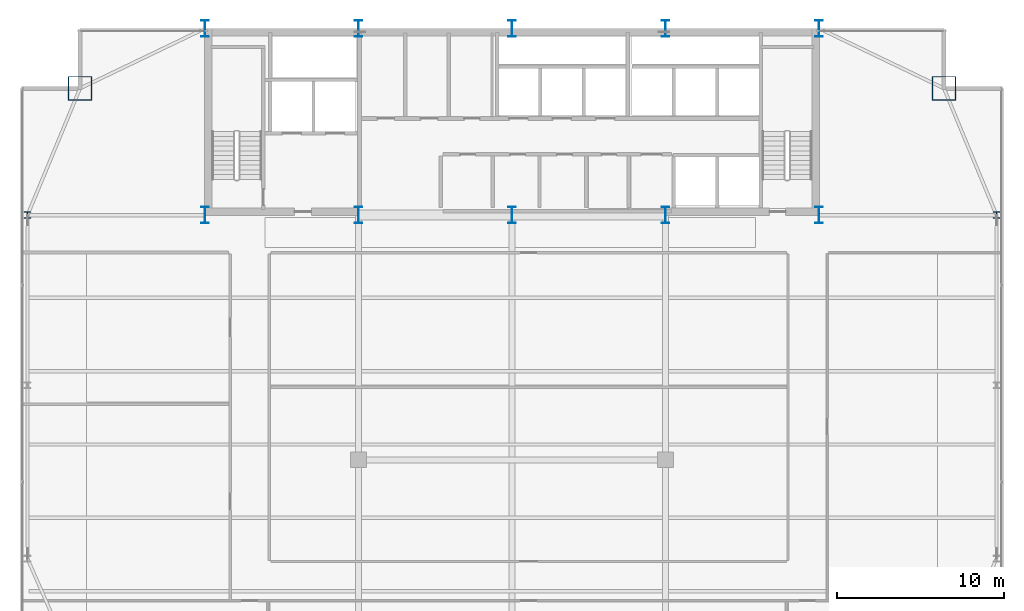
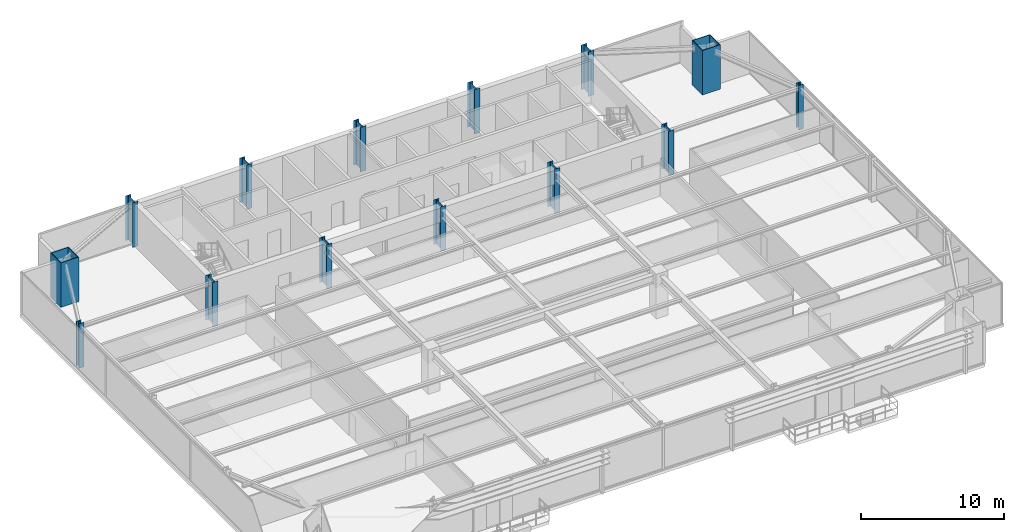
# One storey, part 2 of 36: 14 columns.
"""IFC4 building model written with IfcOpenShell, lengths in metres."""

from ifc_helpers import new_model, si_unit, direction, frame, origin, origin_2d, place, context, subcontext, project, spatial, hollow_rectangle, i_section, extrude, source, transform, mapped, material, material_profile, profile_set, type_object, type_shapes, element, save


model = new_model("IFC4")

# Units and contexts
model_context = context("Model", 3, precision=1e-05, world=origin(), true_north=direction((0.0, 1.0)))
body_context = subcontext(model_context, "Body", "Model", "MODEL_VIEW")
ifc_project = project(units=[si_unit("LENGTHUNIT", "METRE"), si_unit("AREAUNIT", "SQUARE_METRE"), si_unit("VOLUMEUNIT", "CUBIC_METRE"), si_unit("PLANEANGLEUNIT", "RADIAN"), si_unit("MASSUNIT", "GRAM", prefix="KILO")], contexts=[model_context])

# Site, building, storey
site_placement = place(None, origin())
site = spatial("IfcSite", under=ifc_project, at=site_placement, CompositionType="ELEMENT")
building_placement = place(site_placement, origin())
building = spatial("IfcBuilding", under=site, at=building_placement, Name="Varnel Quay Broadcast Tower", CompositionType="ELEMENT")
storey_placement = place(building_placement, frame((0.0, 0.0, 114.39990234375)))
storey = spatial("IfcBuildingStorey", under=building, at=storey_placement, Name="L27", CompositionType="ELEMENT", Elevation=114.39990234375)

# Columns
ifc_material_1 = material(Name="Structural Steel CSA G40.21 350WT", Category="steel")
ifc_material_profile_1 = material_profile(ifc_material_1, i_section(OverallWidth=0.449951171875, OverallDepth=1.0, WebThickness=0.01611328125, FlangeThickness=0.030029296875, FilletRadius=0.01611328125, at=origin_2d()), Name="WWF1000X362")
ifc_profile_set_1 = profile_set([ifc_material_profile_1], Name="Structural Steel CSA G40.21 350WT")
column_type_1 = type_object("IfcColumnType", Name="Col_WWF1000X362", PredefinedType="COLUMN", material=ifc_profile_set_1)
shared_shape_1 = source(origin(), body_context, "Body", "SweptSolid", [
    extrude(i_section(OverallWidth=0.449951171875, OverallDepth=1.0, WebThickness=0.01611328125, FlangeThickness=0.030029296875, FilletRadius=0.01611328125, at=origin_2d()), origin(), (0.0, 0.0, 1.0), 3.800048828125),
])
type_shapes(column_type_1, [shared_shape_1])
for number, where, z_axis, x_axis, name in (
    (1, (15.60009765625, 35.60009765625, 0.0), (0.0, 0.0, 1.0), (1.0, 0.0, 0.0), "L27 Column CC-S1"),
    (2, (15.60009765625, 46.800048828125, 0.0), (0.0, 0.0, 1.0), (1.0, 0.0, 0.0), "L27 Column CC-N1"),
    (3, (24.800048828125, 35.60009765625, 0.0), (0.0, 0.0, 1.0), (1.0, 0.0, 0.0), "L27 Column CC-S2"),
    (4, (24.800048828125, 46.800048828125, 0.0), (0.0, 0.0, 1.0), (1.0, 0.0, 0.0), "L27 Column CC-N2"),
    (5, (34.0, 35.60009765625, 0.0), (0.0, 0.0, 1.0), (1.0, 0.0, 0.0), "L27 Column CC-S3"),
    (6, (34.0, 46.800048828125, 0.0), (0.0, 0.0, 1.0), (1.0, 0.0, 0.0), "L27 Column CC-N3"),
    (7, (43.199951171875, 35.60009765625, 0.0), (0.0, 0.0, 1.0), (1.0, 0.0, 0.0), "L27 Column CC-S4"),
    (8, (43.199951171875, 46.800048828125, 0.0), (0.0, 0.0, 1.0), (1.0, 0.0, 0.0), "L27 Column CC-N4"),
    (9, (52.39990234375, 35.60009765625, 0.0), (0.0, 0.0, 1.0), (1.0, 0.0, 0.0), "L27 Column CC-S5"),
    (10, (52.39990234375, 46.800048828125, 0.0), (0.0, 0.0, 1.0), (1.0, 0.0, 0.0), "L27 Column CC-N5"),
):
    element("IfcColumn", number, at=place(storey_placement, frame(where, z_axis=z_axis, x_axis=x_axis)), inside=storey, type_object=column_type_1, Name=name, PredefinedType="COLUMN", context=body_context, shape_type="MappedRepresentation", body=[
        mapped(shared_shape_1, transform((0.0, 0.0, 0.0), x_axis=(1.0, 0.0, 0.0), y_axis=(0.0, 1.0, 0.0), z_axis=(0.0, 0.0, 1.0), scale=1.0)),
    ])
ifc_material_profile_2 = material_profile(ifc_material_1, hollow_rectangle(XDim=1.449951171875, YDim=1.449951171875, WallThickness=0.054931640625, at=origin_2d()), Name="BOX1450X1450X55")
ifc_profile_set_2 = profile_set([ifc_material_profile_2], Name="Structural Steel CSA G40.21 350WT")
column_type_2 = type_object("IfcColumnType", Name="Col_BOX1450X1450X55", PredefinedType="COLUMN", material=ifc_profile_set_2)
shared_shape_2 = source(origin(), body_context, "Body", "SweptSolid", [
    extrude(hollow_rectangle(XDim=1.449951171875, YDim=1.449951171875, WallThickness=0.054931640625, at=origin_2d()), origin(), (0.0, 0.0, 1.0), 3.800048828125),
])
type_shapes(column_type_2, [shared_shape_2])
for number, where, z_axis, x_axis, name in (
    (11, (59.89990234375, 43.199951171875, 0.0), (0.0, 0.0, 1.0), (1.0, 0.0, 0.0), "L27 Column MC-NE"),
    (12, (8.10009765625, 43.199951171875, 0.0), (0.0, 0.0, 1.0), (1.0, 0.0, 0.0), "L27 Column MC-NW"),
):
    element("IfcColumn", number, at=place(storey_placement, frame(where, z_axis=z_axis, x_axis=x_axis)), inside=storey, type_object=column_type_2, Name=name, PredefinedType="COLUMN", context=body_context, shape_type="MappedRepresentation", body=[
        mapped(shared_shape_2, transform((0.0, 0.0, 0.0), x_axis=(1.0, 0.0, 0.0), y_axis=(0.0, 1.0, 0.0), z_axis=(0.0, 0.0, 1.0), scale=1.0)),
    ])
ifc_material_2 = material(Name="Structural Steel CSA G40.21 350W", Category="steel")
ifc_material_profile_3 = material_profile(ifc_material_2, i_section(OverallWidth=0.39794921875, OverallDepth=0.386962890625, WebThickness=0.02099609375, FlangeThickness=0.033203125, FilletRadius=0.01806640625, at=origin_2d()), Name="W360X262")
ifc_profile_set_3 = profile_set([ifc_material_profile_3], Name="Structural Steel CSA G40.21 350W")
column_type_3 = type_object("IfcColumnType", Name="Col_W360X262", PredefinedType="COLUMN", material=ifc_profile_set_3)
shared_shape_3 = source(origin(), body_context, "Body", "SweptSolid", [
    extrude(i_section(OverallWidth=0.39794921875, OverallDepth=0.386962890625, WebThickness=0.02099609375, FlangeThickness=0.033203125, FilletRadius=0.01806640625, at=origin_2d()), origin(), (0.0, 0.0, 1.0), 3.800048828125),
])
type_shapes(column_type_3, [shared_shape_3])
for number, where, z_axis, x_axis, name in (
    (13, (4.949951171875, 35.60009765625, 0.0), (0.0, 0.0, 1.0), (1.0, 0.0, 0.0), "L27 Column TC-W3"),
    (14, (63.050048828125, 35.60009765625, 0.0), (0.0, 0.0, 1.0), (1.0, 0.0, 0.0), "L27 Column TC-E3"),
):
    element("IfcColumn", number, at=place(storey_placement, frame(where, z_axis=z_axis, x_axis=x_axis)), inside=storey, type_object=column_type_3, Name=name, PredefinedType="COLUMN", context=body_context, shape_type="MappedRepresentation", body=[
        mapped(shared_shape_3, transform((0.0, 0.0, 0.0), x_axis=(1.0, 0.0, 0.0), y_axis=(0.0, 1.0, 0.0), z_axis=(0.0, 0.0, 1.0), scale=1.0)),
    ])

save(model, "model.ifc")
